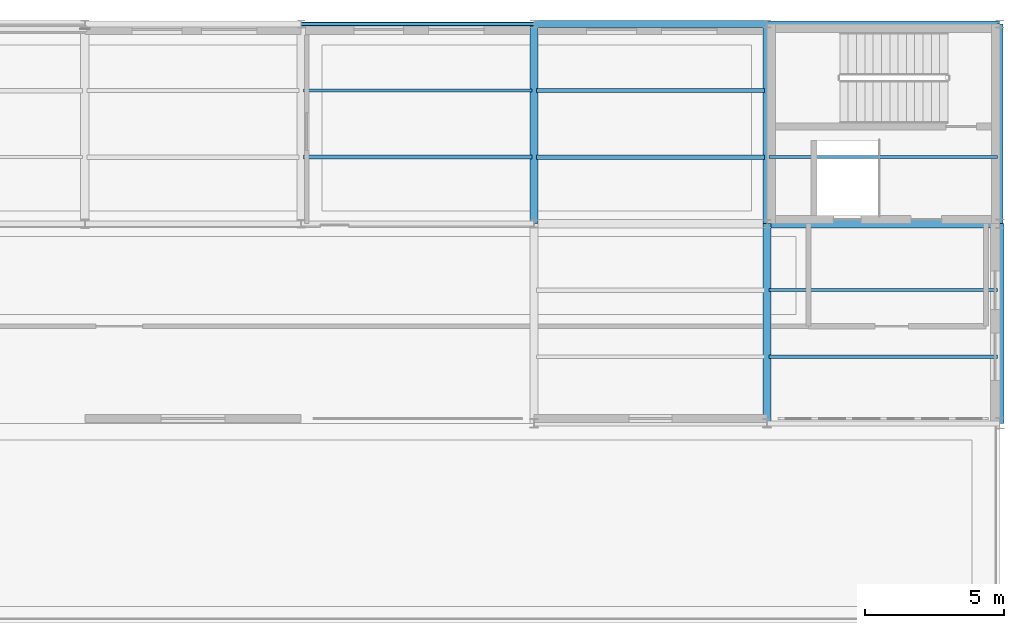
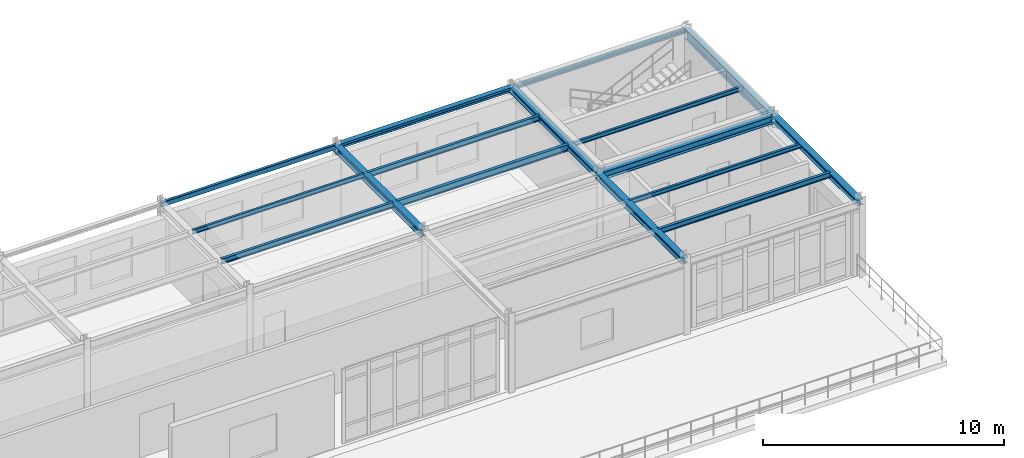
# One storey, part 31 of 58: 16 beams.
"""IFC4 building model written with IfcOpenShell, lengths in metres."""

from ifc_helpers import new_model, si_unit, derived_unit, direction, frame, origin, origin_2d, place, context, subcontext, project, spatial, hollow_rectangle, i_section, extrude, material, material_profile, profile_set, type_object, element, save


model = new_model("IFC4")

# Units and contexts
model_context = context("Model", 3, precision=1e-05, world=origin(), true_north=direction((0.0, 1.0)))
body_context = subcontext(model_context, "Body", "Model", "MODEL_VIEW")
ifc_project = project(units=[si_unit("LENGTHUNIT", "METRE"), si_unit("AREAUNIT", "SQUARE_METRE"), si_unit("VOLUMEUNIT", "CUBIC_METRE"), si_unit("PLANEANGLEUNIT", "RADIAN"), si_unit("MASSUNIT", "GRAM", prefix="KILO"), derived_unit("THERMALTRANSMITTANCEUNIT", [(si_unit("POWERUNIT", "WATT"), 1), (si_unit("AREAUNIT", "SQUARE_METRE"), -1), (si_unit("THERMODYNAMICTEMPERATUREUNIT", "KELVIN"), -1)])], contexts=[model_context])

# Site, building, storey
site_placement = place(None, origin())
site = spatial("IfcSite", under=ifc_project, at=site_placement, CompositionType="ELEMENT")
building_placement = place(site_placement, origin())
building = spatial("IfcBuilding", under=site, at=building_placement, Name="Yasenodar Specialist Clinic", CompositionType="ELEMENT")
storey_placement = place(building_placement, frame((0.0, 0.0, 21.300048828125)))
storey = spatial("IfcBuildingStorey", under=building, at=storey_placement, Name="L05", CompositionType="ELEMENT", Elevation=21.300048828125)

# Beams
ifc_material = material(Name="Steel S355", Category="steel")
ifc_material_profile_1 = material_profile(ifc_material, i_section(OverallWidth=0.300048828125, OverallDepth=0.2900390625, WebThickness=0.008544921875, FlangeThickness=0.013916015625, FilletRadius=0.027099609375, at=origin_2d()), Name="HEA 300")
ifc_profile_set_1 = profile_set([ifc_material_profile_1], Name="Steel S355")
beam_type_1 = type_object("IfcBeamType", Name="BM-HEA300", PredefinedType="BEAM", material=ifc_profile_set_1)
beam_1_placement = place(storey_placement, frame((121.800048828125, 97.199951171875, 3.655029296875), z_axis=(0.0, 1.0, 0.0), x_axis=(-1.0, 0.0, 0.0)))
element("IfcBeam", 1, at=beam_1_placement, inside=storey, type_object=beam_type_1, Name="L05 Primary N-S Girder", PredefinedType="BEAM", context=body_context, shape_type="SweptSolid", body=[
    extrude(i_section(OverallWidth=0.300048828125, OverallDepth=0.2900390625, WebThickness=0.008544921875, FlangeThickness=0.013916015625, FilletRadius=0.027099609375, at=origin_2d()), origin(), (0.0, 0.0, 1.0), 7.199951171875),
])
ifc_material_profile_2 = material_profile(ifc_material, i_section(OverallWidth=0.300048828125, OverallDepth=0.389892578125, WebThickness=0.010986328125, FlangeThickness=0.01904296875, FilletRadius=0.027099609375, at=origin_2d()), Name="HEA 400")
ifc_profile_set_2 = profile_set([ifc_material_profile_2], Name="Steel S355")
beam_type_2 = type_object("IfcBeamType", Name="BM-HEA400", PredefinedType="BEAM", material=ifc_profile_set_2)
beam_2_placement = place(storey_placement, frame((113.39990234375, 104.39990234375, 3.60498046875), z_axis=(1.0, 0.0, 0.0), x_axis=(0.0, 1.0, 0.0)))
element("IfcBeam", 2, at=beam_2_placement, inside=storey, type_object=beam_type_2, Name="L05 Primary E-W Girder", PredefinedType="BEAM", context=body_context, shape_type="SweptSolid", body=[
    extrude(i_section(OverallWidth=0.300048828125, OverallDepth=0.389892578125, WebThickness=0.010986328125, FlangeThickness=0.01904296875, FilletRadius=0.027099609375, at=origin_2d()), origin(), (0.0, 0.0, 1.0), 8.400146484375),
])
ifc_material_profile_3 = material_profile(ifc_material, i_section(OverallWidth=0.280029296875, OverallDepth=0.280029296875, WebThickness=0.010498046875, FlangeThickness=0.01806640625, FilletRadius=0.02392578125, at=origin_2d()), Name="HEB 280")
ifc_profile_set_3 = profile_set([ifc_material_profile_3], Name="Steel S355")
beam_type_3 = type_object("IfcBeamType", Name="BM-HEB280", PredefinedType="BEAM", material=ifc_profile_set_3)
beam_3_placement = place(storey_placement, frame((113.39990234375, 104.39990234375, 3.659912109375), z_axis=(0.0, 1.0, 0.0), x_axis=(-1.0, 0.0, 0.0)))
element("IfcBeam", 3, at=beam_3_placement, inside=storey, type_object=beam_type_3, Name="L05 Primary N-S Girder", PredefinedType="BEAM", context=body_context, shape_type="SweptSolid", body=[
    extrude(i_section(OverallWidth=0.280029296875, OverallDepth=0.280029296875, WebThickness=0.010498046875, FlangeThickness=0.01806640625, FilletRadius=0.02392578125, at=origin_2d()), origin(), (0.0, 0.0, 1.0), 7.2001953125),
])
ifc_material_profile_4 = material_profile(ifc_material, i_section(OverallWidth=0.300048828125, OverallDepth=0.300048828125, WebThickness=0.010986328125, FlangeThickness=0.01904296875, FilletRadius=0.027099609375, at=origin_2d()), Name="HEB 300")
ifc_profile_set_4 = profile_set([ifc_material_profile_4], Name="Steel S355")
beam_type_4 = type_object("IfcBeamType", Name="BM-HEB300", PredefinedType="BEAM", material=ifc_profile_set_4)
beam_4_placement = place(storey_placement, frame((113.39990234375, 97.199951171875, 3.64990234375), z_axis=(0.0, 1.0, 0.0), x_axis=(-1.0, 0.0, 0.0)))
element("IfcBeam", 4, at=beam_4_placement, inside=storey, type_object=beam_type_4, Name="L05 Primary N-S Girder", PredefinedType="BEAM", context=body_context, shape_type="SweptSolid", body=[
    extrude(i_section(OverallWidth=0.300048828125, OverallDepth=0.300048828125, WebThickness=0.010986328125, FlangeThickness=0.01904296875, FilletRadius=0.027099609375, at=origin_2d()), origin(), (0.0, 0.0, 1.0), 7.199951171875),
])
ifc_material_profile_5 = material_profile(ifc_material, i_section(OverallWidth=0.300048828125, OverallDepth=0.340087890625, WebThickness=0.011962890625, FlangeThickness=0.021484375, FilletRadius=0.027099609375, at=origin_2d()), Name="HEB 340")
ifc_profile_set_5 = profile_set([ifc_material_profile_5], Name="Steel S355")
beam_type_5 = type_object("IfcBeamType", Name="BM-HEB340", PredefinedType="BEAM", material=ifc_profile_set_5)
beam_5_placement = place(storey_placement, frame((105.0, 104.39990234375, 3.6298828125), z_axis=(0.0, 1.0, 0.0), x_axis=(-1.0, 0.0, 0.0)))
element("IfcBeam", 5, at=beam_5_placement, inside=storey, type_object=beam_type_5, Name="L05 Primary N-S Girder", PredefinedType="BEAM", context=body_context, shape_type="SweptSolid", body=[
    extrude(i_section(OverallWidth=0.300048828125, OverallDepth=0.340087890625, WebThickness=0.011962890625, FlangeThickness=0.021484375, FilletRadius=0.027099609375, at=origin_2d()), origin(), (0.0, 0.0, 1.0), 7.2001953125),
])
ifc_material_profile_6 = material_profile(ifc_material, i_section(OverallWidth=0.2099609375, OverallDepth=0.550048828125, WebThickness=0.010986328125, FlangeThickness=0.01708984375, FilletRadius=0.02392578125, at=origin_2d()), Name="IPE 550")
ifc_profile_set_6 = profile_set([ifc_material_profile_6], Name="Steel S355")
beam_type_6 = type_object("IfcBeamType", Name="BM-IPE550", PredefinedType="BEAM", material=ifc_profile_set_6)
beam_6_placement = place(storey_placement, frame((121.800048828125, 104.39990234375, 3.52490234375), z_axis=(0.0, 1.0, 0.0), x_axis=(-1.0, 0.0, 0.0)))
element("IfcBeam", 6, at=beam_6_placement, inside=storey, type_object=beam_type_6, Name="L05 Primary N-S Girder", PredefinedType="BEAM", context=body_context, shape_type="SweptSolid", body=[
    extrude(i_section(OverallWidth=0.2099609375, OverallDepth=0.550048828125, WebThickness=0.010986328125, FlangeThickness=0.01708984375, FilletRadius=0.02392578125, at=origin_2d()), origin(), (0.0, 0.0, 1.0), 7.2001953125),
])
ifc_material_profile_7 = material_profile(ifc_material, i_section(OverallWidth=0.110107421875, OverallDepth=0.219970703125, WebThickness=0.005859375, FlangeThickness=0.00927734375, FilletRadius=0.011962890625, at=origin_2d()), Name="IPE 220")
ifc_profile_set_7 = profile_set([ifc_material_profile_7], Name="Steel S355")
beam_type_7 = type_object("IfcBeamType", Name="JS-IPE220", PredefinedType="JOIST", material=ifc_profile_set_7)
for number, where, z_axis, x_axis, name in (
    (7, (96.679931640625, 109.199951171875, 3.68994140625), (1.0, 0.0, 0.0), (0.0, 1.0, 0.0), "L05 Composite Floor Joist"),
    (8, (113.47998046875, 102.0, 3.68994140625), (1.0, 0.0, 0.0), (0.0, 1.0, 0.0), "L05 Composite Floor Joist"),
    (9, (113.47998046875, 106.800048828125, 3.68994140625), (1.0, 0.0, 0.0), (0.0, 1.0, 0.0), "L05 Composite Floor Joist"),
):
    element("IfcBeam", number, at=place(storey_placement, frame(where, z_axis=z_axis, x_axis=x_axis)), inside=storey, type_object=beam_type_7, Name=name, PredefinedType="JOIST", context=body_context, shape_type="SweptSolid", body=[
        extrude(i_section(OverallWidth=0.110107421875, OverallDepth=0.219970703125, WebThickness=0.005859375, FlangeThickness=0.00927734375, FilletRadius=0.011962890625, at=origin_2d()), origin(), (0.0, 0.0, 1.0), 8.239990234375),
    ])
ifc_material_profile_8 = material_profile(ifc_material, i_section(OverallWidth=0.135009765625, OverallDepth=0.27001953125, WebThickness=0.006591796875, FlangeThickness=0.01025390625, FilletRadius=0.014892578125, at=origin_2d()), Name="IPE 270")
ifc_profile_set_8 = profile_set([ifc_material_profile_8], Name="Steel S355")
beam_type_8 = type_object("IfcBeamType", Name="JS-IPE270", PredefinedType="JOIST", material=ifc_profile_set_8)
for number, where, z_axis, x_axis, name in (
    (10, (96.679931640625, 106.800048828125, 3.6650390625), (1.0, 0.0, 0.0), (0.0, 1.0, 0.0), "L05 Composite Floor Joist"),
    (11, (105.080078125, 109.199951171875, 3.6650390625), (1.0, 0.0, 0.0), (0.0, 1.0, 0.0), "L05 Composite Floor Joist"),
    (12, (113.47998046875, 99.60009765625, 3.6650390625), (1.0, 0.0, 0.0), (0.0, 1.0, 0.0), "L05 Composite Floor Joist"),
):
    element("IfcBeam", number, at=place(storey_placement, frame(where, z_axis=z_axis, x_axis=x_axis)), inside=storey, type_object=beam_type_8, Name=name, PredefinedType="JOIST", context=body_context, shape_type="SweptSolid", body=[
        extrude(i_section(OverallWidth=0.135009765625, OverallDepth=0.27001953125, WebThickness=0.006591796875, FlangeThickness=0.01025390625, FilletRadius=0.014892578125, at=origin_2d()), origin(), (0.0, 0.0, 1.0), 8.239990234375),
    ])
ifc_material_profile_9 = material_profile(ifc_material, i_section(OverallWidth=0.159912109375, OverallDepth=0.330078125, WebThickness=0.007568359375, FlangeThickness=0.011474609375, FilletRadius=0.01806640625, at=origin_2d()), Name="IPE 330")
ifc_profile_set_9 = profile_set([ifc_material_profile_9], Name="Steel S355")
beam_type_9 = type_object("IfcBeamType", Name="JS-IPE330", PredefinedType="JOIST", material=ifc_profile_set_9)
beam_7_placement = place(storey_placement, frame((105.080078125, 106.800048828125, 3.635009765625), z_axis=(1.0, 0.0, 0.0), x_axis=(0.0, 1.0, 0.0)))
element("IfcBeam", 13, at=beam_7_placement, inside=storey, type_object=beam_type_9, Name="L05 Composite Floor Joist", PredefinedType="JOIST", context=body_context, shape_type="SweptSolid", body=[
    extrude(i_section(OverallWidth=0.159912109375, OverallDepth=0.330078125, WebThickness=0.007568359375, FlangeThickness=0.011474609375, FilletRadius=0.01806640625, at=origin_2d()), origin(), (0.0, 0.0, 1.0), 8.239990234375),
])
ifc_material_profile_10 = material_profile(ifc_material, i_section(OverallWidth=0.199951171875, OverallDepth=0.18994140625, WebThickness=0.006591796875, FlangeThickness=0.010009765625, FilletRadius=0.01806640625, at=origin_2d()), Name="HEA 200")
ifc_profile_set_10 = profile_set([ifc_material_profile_10], Name="Steel S355")
beam_type_10 = type_object("IfcBeamType", Name="SP-HEA200", PredefinedType="SPANDREL", material=ifc_profile_set_10)
beam_8_placement = place(storey_placement, frame((113.39990234375, 111.60009765625, 3.704833984375), z_axis=(1.0, 0.0, 0.0), x_axis=(0.0, 1.0, 0.0)))
element("IfcBeam", 14, at=beam_8_placement, inside=storey, type_object=beam_type_10, Name="L05 Perimeter Spandrel Beam", PredefinedType="SPANDREL", context=body_context, shape_type="SweptSolid", body=[
    extrude(i_section(OverallWidth=0.199951171875, OverallDepth=0.18994140625, WebThickness=0.006591796875, FlangeThickness=0.010009765625, FilletRadius=0.01806640625, at=origin_2d()), origin(), (0.0, 0.0, 1.0), 8.400146484375),
])
ifc_material_profile_11 = material_profile(ifc_material, i_section(OverallWidth=0.239990234375, OverallDepth=0.22998046875, WebThickness=0.007568359375, FlangeThickness=0.011962890625, FilletRadius=0.02099609375, at=origin_2d()), Name="HEA 240")
ifc_profile_set_11 = profile_set([ifc_material_profile_11], Name="Steel S355")
beam_type_11 = type_object("IfcBeamType", Name="SP-HEA240", PredefinedType="SPANDREL", material=ifc_profile_set_11)
beam_9_placement = place(storey_placement, frame((105.0, 111.60009765625, 3.68505859375), z_axis=(1.0, 0.0, 0.0), x_axis=(0.0, 1.0, 0.0)))
element("IfcBeam", 15, at=beam_9_placement, inside=storey, type_object=beam_type_11, Name="L05 Perimeter Spandrel Beam", PredefinedType="SPANDREL", context=body_context, shape_type="SweptSolid", body=[
    extrude(i_section(OverallWidth=0.239990234375, OverallDepth=0.22998046875, WebThickness=0.007568359375, FlangeThickness=0.011962890625, FilletRadius=0.02099609375, at=origin_2d()), origin(), (0.0, 0.0, 1.0), 8.39990234375),
])
ifc_material_profile_12 = material_profile(ifc_material, hollow_rectangle(XDim=0.14990234375, YDim=0.25, WallThickness=0.010009765625, InnerFilletRadius=0.014892578125, OuterFilletRadius=0.02490234375, at=origin_2d()), Name="RHS 250x150x10")
ifc_profile_set_12 = profile_set([ifc_material_profile_12], Name="Steel S355")
beam_type_12 = type_object("IfcBeamType", Name="SP-RHS250", PredefinedType="SPANDREL", material=ifc_profile_set_12)
beam_10_placement = place(storey_placement, frame((96.60009765625, 111.60009765625, 3.675048828125), z_axis=(1.0, 0.0, 0.0), x_axis=(0.0, 1.0, 0.0)))
element("IfcBeam", 16, at=beam_10_placement, inside=storey, type_object=beam_type_12, Name="L05 Perimeter Spandrel Beam", PredefinedType="SPANDREL", context=body_context, shape_type="SweptSolid", body=[
    extrude(hollow_rectangle(XDim=0.14990234375, YDim=0.25, WallThickness=0.010009765625, InnerFilletRadius=0.014892578125, OuterFilletRadius=0.02490234375, at=origin_2d()), origin(), (0.0, 0.0, 1.0), 8.39990234375),
])

save(model, "model.ifc")
